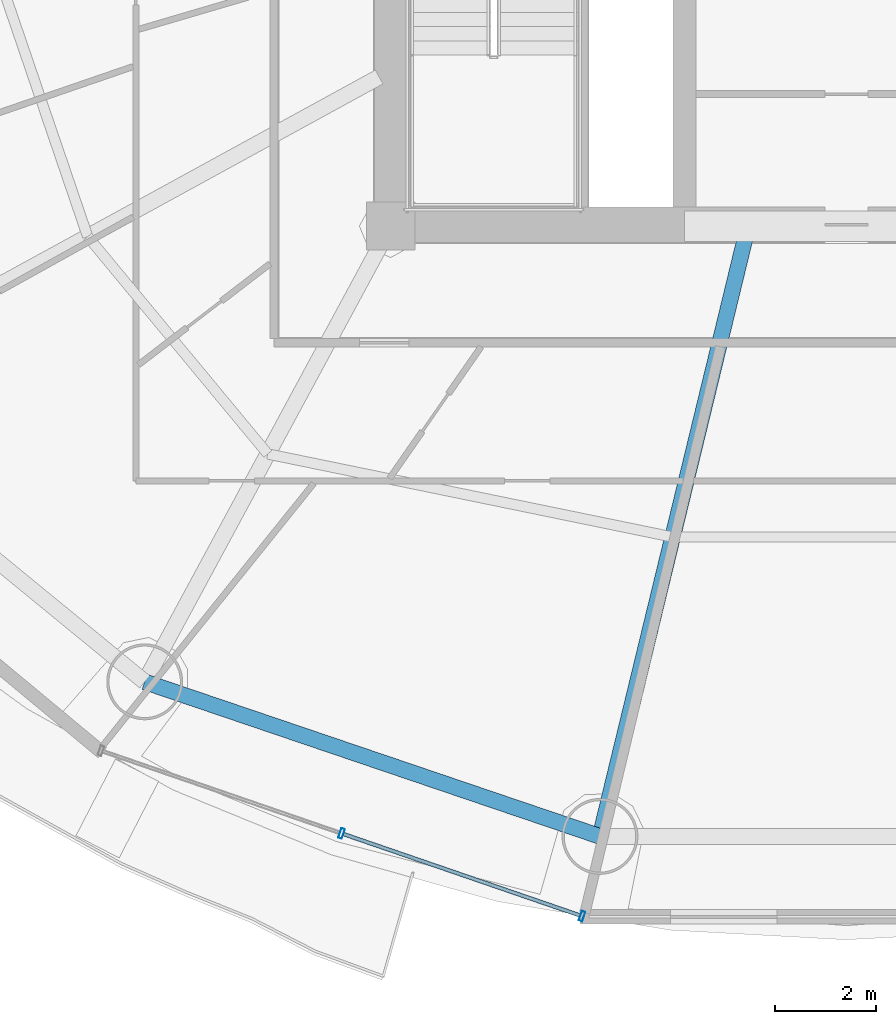
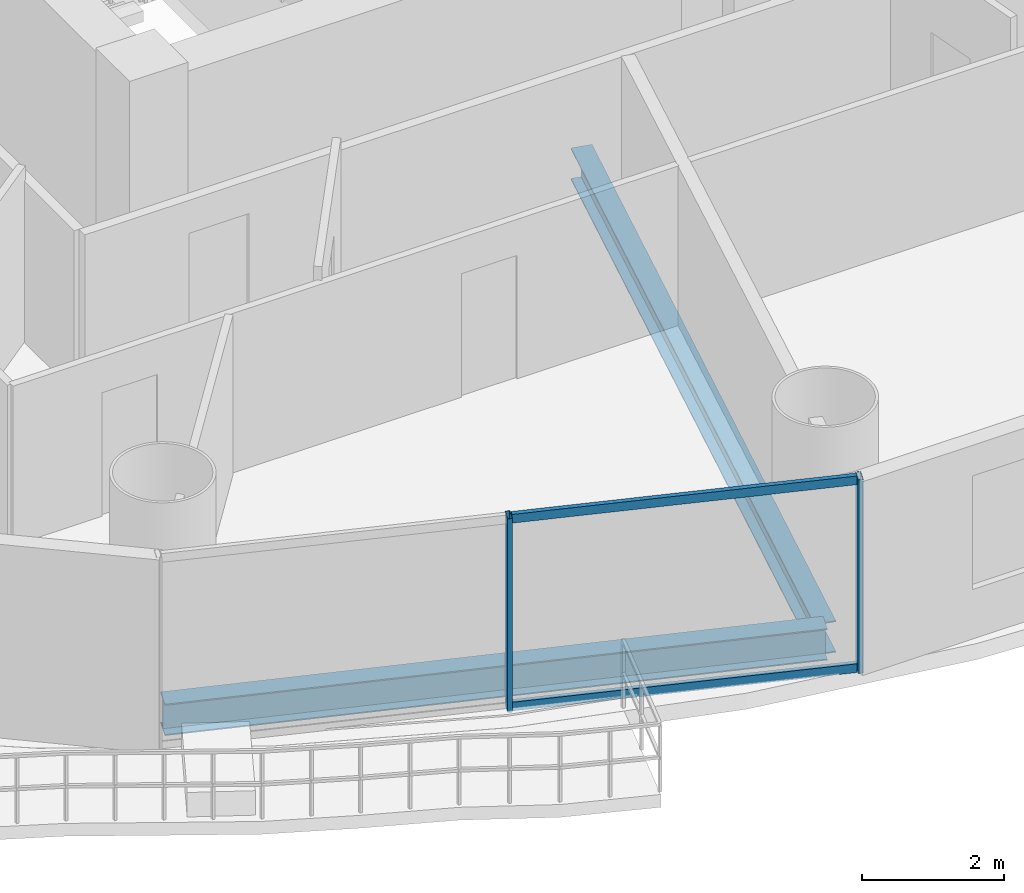
# One storey, part 4 of 29: 4 members, 2 beams, 1 element without a shape of its own.
"""IFC4 building model written with IfcOpenShell, lengths in metres."""

from ifc_helpers import new_model, si_unit, direction, frame, origin, origin_2d, place, context, subcontext, project, spatial, hollow_rectangle, i_section, extrude, source, transform, mapped, material, material_profile, profile_set, type_object, element, aggregate, save


model = new_model("IFC4")

# Units and contexts
model_context = context("Model", 3, precision=1e-05, world=origin(), true_north=direction((-0.2419218956, 0.970295726276)))
body_context = subcontext(model_context, "Body", "Model", "MODEL_VIEW")
ifc_project = project(units=[si_unit("LENGTHUNIT", "METRE"), si_unit("AREAUNIT", "SQUARE_METRE"), si_unit("VOLUMEUNIT", "CUBIC_METRE"), si_unit("PLANEANGLEUNIT", "RADIAN"), si_unit("MASSUNIT", "GRAM", prefix="KILO")], contexts=[model_context])

# Site, building, storey
site_placement = place(None, origin())
site = spatial("IfcSite", under=ifc_project, at=site_placement, CompositionType="ELEMENT")
building_placement = place(site_placement, origin())
building = spatial("IfcBuilding", under=site, at=building_placement, Name="Cobrevalo Terracotta Tower", CompositionType="ELEMENT")
storey_placement = place(building_placement, frame((0.0, 0.0, 97.800048828125)))
storey = spatial("IfcBuildingStorey", under=building, at=storey_placement, Name="L25", CompositionType="ELEMENT", Elevation=97.800048828125)

# Beams
ifc_material_1 = material(Name="Steel S355", Category="steel")
ifc_material_profile_1 = material_profile(ifc_material_1, i_section(OverallWidth=0.31201171875, OverallDepth=0.54296875, WebThickness=0.0126953125, FlangeThickness=0.020263671875, at=origin_2d()), Name="W 530x150")
ifc_profile_set_1 = profile_set([ifc_material_profile_1], Name="Steel S355")
beam_type_1 = type_object("IfcBeamType", Name="Structural Beam W 530x150 (Steel S355)", PredefinedType="BEAM", material=ifc_profile_set_1)
beam_1_placement = place(storey_placement, frame((33.132568359375, 6.742919921875, -0.546630859375), z_axis=(0.235827379387, 0.971794961467, 0.0), x_axis=(-0.971794961467, 0.235827379387, 0.0)))
element("IfcBeam", 1, at=beam_1_placement, inside=storey, type_object=beam_type_1, Name="L25 radial floor girder 12", PredefinedType="BEAM", context=body_context, shape_type="SweptSolid", body=[
    extrude(i_section(OverallWidth=0.31201171875, OverallDepth=0.54296875, WebThickness=0.0126953125, FlangeThickness=0.020263671875, at=origin_2d()), origin(), (0.0, 0.0, 1.0), 12.17041015625),
])
ifc_material_profile_2 = material_profile(ifc_material_1, i_section(OverallWidth=0.31201171875, OverallDepth=0.54296875, WebThickness=0.0126953125, FlangeThickness=0.020263671875, at=origin_2d()), Name="W 530x150")
ifc_profile_set_2 = profile_set([ifc_material_profile_2], Name="Steel S355")
beam_type_2 = type_object("IfcBeamType", Name="Structural Spandrel W 530x150 (Steel S355)", PredefinedType="SPANDREL", material=ifc_profile_set_2)
beam_2_placement = place(storey_placement, frame((24.138427734375, 9.79638671875, -0.546630859375), z_axis=(0.94691835344, -0.321474154356, 0.0), x_axis=(0.321474154356, 0.94691835344, 0.0)))
element("IfcBeam", 2, at=beam_2_placement, inside=storey, type_object=beam_type_2, Name="L25 perimeter ring spandrel 11", PredefinedType="SPANDREL", context=body_context, shape_type="SweptSolid", body=[
    extrude(i_section(OverallWidth=0.31201171875, OverallDepth=0.54296875, WebThickness=0.0126953125, FlangeThickness=0.020263671875, at=origin_2d()), origin(), (0.0, 0.0, 1.0), 9.498291015625),
])

# Curtain wall, members
ifc_material_2 = material(Name="Anodized aluminium", Category="aluminium")
curtain_wall_type = type_object("IfcCurtainWallType", Name="Lower-tower unitised acoustic low-E curtain wall CW-U1", PredefinedType="NOTDEFINED", material=ifc_material_2)
curtain_wall_placement = place(storey_placement, origin())
curtain_wall = element("IfcCurtainWall", 3, at=curtain_wall_placement, inside=storey, type_object=curtain_wall_type, Name="L25 curtain wall CW-L25-S11", PredefinedType="NOTDEFINED")
ifc_material_profile_3 = material_profile(ifc_material_2, hollow_rectangle(XDim=0.074951171875, YDim=0.199951171875, WallThickness=0.0048828125, at=origin_2d()), Name="CWM 75x200")
ifc_profile_set_3 = profile_set([ifc_material_profile_3], Name="Anodized aluminium")
member_type_1 = type_object("IfcMemberType", Name="Lower/mid tower unitised mullion 75x200", PredefinedType="MULLION", material=ifc_profile_set_3)
shared_shape_1 = source(origin(), body_context, "Body", "SweptSolid", [
    extrude(hollow_rectangle(XDim=0.074951171875, YDim=0.199951171875, WallThickness=0.0048828125, at=origin_2d()), origin(), (0.0, 0.0, 1.0), 3.324951171875),
])
member_1_placement = place(storey_placement, frame((28.027587890625, 6.8017578125, 0.0), z_axis=(0.0, 0.0, 1.0), x_axis=(0.94559809868, -0.325337110968, 0.0)))
member_1 = element("IfcMember", 4, at=member_1_placement, type_object=member_type_1, Name="CW-L25-S11 vertical mullion 02", PredefinedType="MULLION", context=body_context, shape_type="MappedRepresentation", body=[
    mapped(shared_shape_1, transform((0.0, 0.0, 0.0), scale=1.0)),
])
member_2_placement = place(storey_placement, frame((32.778564453125, 5.1669921875, 0.0), z_axis=(0.0, 0.0, 1.0), x_axis=(0.94559809868, -0.325337110968, 0.0)))
member_2 = element("IfcMember", 5, at=member_2_placement, type_object=member_type_1, Name="CW-L25-S11 vertical mullion 03", PredefinedType="MULLION", context=body_context, shape_type="MappedRepresentation", body=[
    mapped(shared_shape_1, transform((0.0, 0.0, 0.0), scale=1.0)),
])
ifc_material_profile_4 = material_profile(ifc_material_2, hollow_rectangle(XDim=0.074951171875, YDim=0.14990234375, WallThickness=0.00439453125, at=origin_2d()), Name="CWT 75x150")
ifc_profile_set_4 = profile_set([ifc_material_profile_4], Name="Anodized aluminium")
member_type_2 = type_object("IfcMemberType", Name="Tower unitised aluminium transom 75x150", PredefinedType="USERDEFINED", material=ifc_profile_set_4)
shared_shape_2 = source(origin(), body_context, "Body", "SweptSolid", [
    extrude(hollow_rectangle(XDim=0.074951171875, YDim=0.14990234375, WallThickness=0.00439453125, at=origin_2d()), origin(), (0.0, 0.0, 1.0), 4.944580078125),
])
member_3_placement = place(storey_placement, frame((28.065185546875, 6.788818359375, 0.050048828125), z_axis=(0.945597859971, -0.32533780478, 0.0), x_axis=(0.32533780478, 0.945597859971, 0.0)))
member_3 = element("IfcMember", 6, at=member_3_placement, type_object=member_type_2, Name="CW-L25-S11 transom B02-T1", ObjectType="TRANSOM", PredefinedType="USERDEFINED", context=body_context, shape_type="MappedRepresentation", body=[
    mapped(shared_shape_2, transform((0.0, 0.0, 0.0), scale=1.0)),
])
member_4_placement = place(storey_placement, frame((28.065185546875, 6.788818359375, 3.27490234375), z_axis=(0.945597859971, -0.32533780478, 0.0), x_axis=(0.32533780478, 0.945597859971, 0.0)))
member_4 = element("IfcMember", 7, at=member_4_placement, type_object=member_type_2, Name="CW-L25-S11 transom B02-T2", ObjectType="TRANSOM", PredefinedType="USERDEFINED", context=body_context, shape_type="MappedRepresentation", body=[
    mapped(shared_shape_2, transform((0.0, 0.0, 0.0), scale=1.0)),
])
aggregate(curtain_wall, [member_1, member_2, member_3, member_4])

save(model, "model.ifc")
